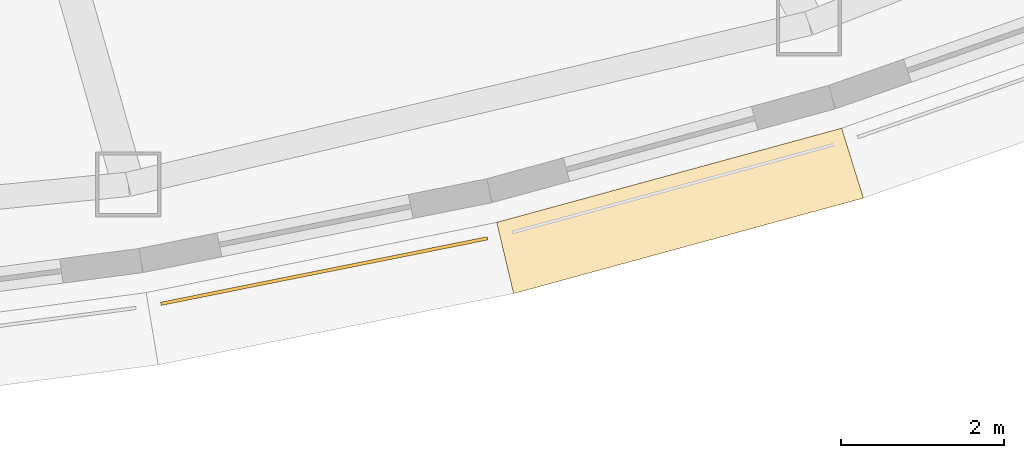
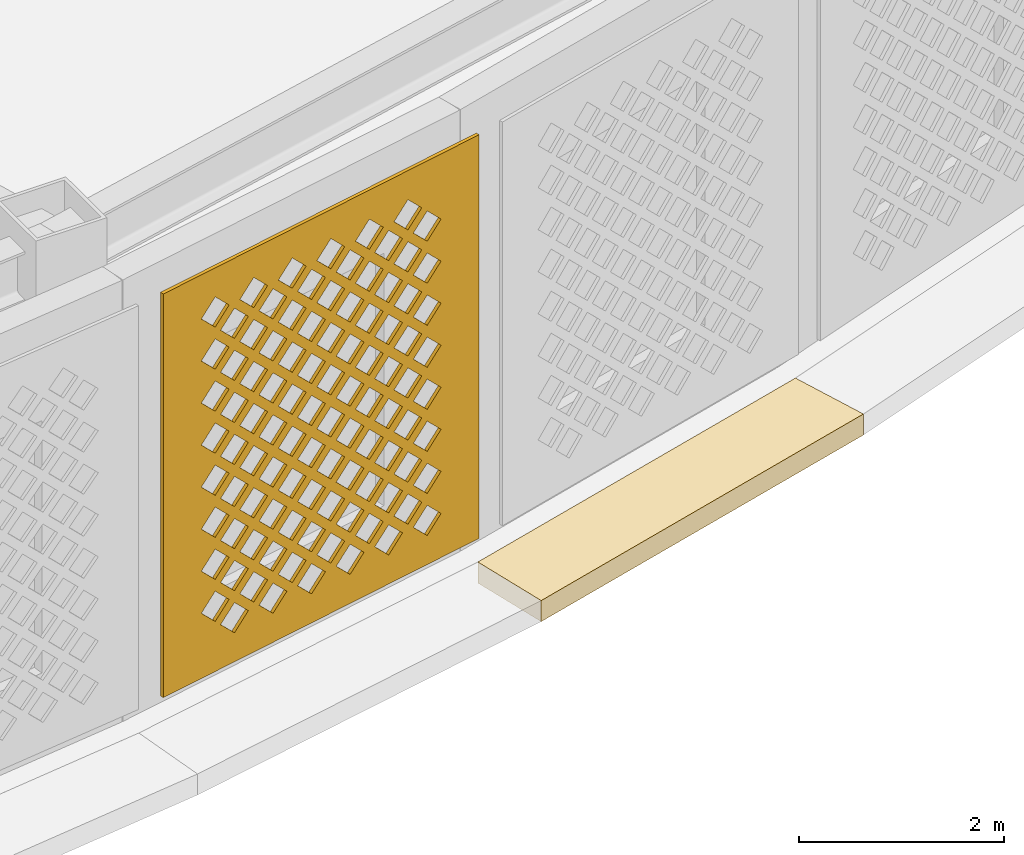
# One storey, part 55 of 69: 2 coverings.
"""IFC4 building model written with IfcOpenShell, lengths in metres."""

from ifc_helpers import new_model, si_unit, direction, frame, origin, place, context, subcontext, project, spatial, polyline, outline, extrude, material, layer, layer_set, type_object, element, save


model = new_model("IFC4")

# Units and contexts
model_context = context("Model", 3, precision=1e-05, world=origin(), true_north=direction((0.0, 1.0)))
body_context = subcontext(model_context, "Body", "Model", "MODEL_VIEW")
ifc_project = project(units=[si_unit("LENGTHUNIT", "METRE"), si_unit("AREAUNIT", "SQUARE_METRE"), si_unit("VOLUMEUNIT", "CUBIC_METRE"), si_unit("PLANEANGLEUNIT", "RADIAN"), si_unit("MASSUNIT", "GRAM", prefix="KILO")], contexts=[model_context])

# Site, building, storey
site_placement = place(None, origin())
site = spatial("IfcSite", under=ifc_project, at=site_placement, CompositionType="ELEMENT")
building_placement = place(site_placement, origin())
building = spatial("IfcBuilding", under=site, at=building_placement, Name="Noorbagh Ring Tower", CompositionType="ELEMENT")
storey_placement = place(building_placement, frame((0.0, 0.0, 19.5)))
storey = spatial("IfcBuildingStorey", under=building, at=storey_placement, Name="L03", CompositionType="ELEMENT", Elevation=19.5)

# Coverings
ifc_material_1 = material(Name="Red sandstone eave", Category="masonry")
covering_type_1 = type_object("IfcCoveringType", Name="STY-CHHAJJA", PredefinedType="USERDEFINED", material=ifc_material_1)
covering_1_placement = place(storey_placement, frame((0.0, 0.0, -0.25)))
element("IfcCovering", 1, at=covering_1_placement, inside=storey, type_object=covering_type_1, Name="Chhajja eave", ObjectType="CHHAJJA", PredefinedType="USERDEFINED", context=body_context, shape_type="SweptSolid", body=[
    extrude(outline(polyline([(15.2568359375, -38.239501953125), (19.49853515625, -37.081298828125), (19.7666015625, -37.941162109375), (15.464111328125, -39.115966796875), (15.2568359375, -38.239501953125)])), origin(), (0.0, 0.0, 1.0), 0.25),
])
ifc_material_2 = material(Name="Red sandstone jali", Category="masonry")
ifc_layer = layer(ifc_material_2, 0.0400390625)
ifc_layer_set = layer_set([ifc_layer], Name="Red sandstone jali")
covering_type_2 = type_object("IfcCoveringType", Name="STY-JALI", PredefinedType="USERDEFINED", material=ifc_layer_set)
covering_2_placement = place(storey_placement, frame((11.130126953125, -39.260498046875, 0.449951171875), z_axis=(0.196528665711, -0.980498079322, 0.0), x_axis=(0.980498079322, 0.196528665711, 0.0)))
element("IfcCovering", 2, at=covering_2_placement, inside=storey, type_object=covering_type_2, Name="Jali screen", ObjectType="SCREEN", PredefinedType="USERDEFINED", context=body_context, shape_type="SweptSolid", body=[
    extrude(outline(polyline([(0.0, 0.0), (4.096923828125, 0.0), (4.096923828125, 4.800048828125), (0.0, 4.800048828125), (0.0, 0.0)]), holes=[polyline([(0.743408203125, 0.52490234375), (0.923583984375, 0.344970703125), (1.103515625, 0.52490234375), (0.923583984375, 0.705078125), (0.743408203125, 0.52490234375)]), polyline([(1.243408203125, 0.52490234375), (1.423583984375, 0.344970703125), (1.603515625, 0.52490234375), (1.423583984375, 0.705078125), (1.243408203125, 0.52490234375)]), polyline([(1.743408203125, 0.52490234375), (1.923583984375, 0.344970703125), (2.103515625, 0.52490234375), (1.923583984375, 0.705078125), (1.743408203125, 0.52490234375)]), polyline([(2.243408203125, 0.52490234375), (2.423583984375, 0.344970703125), (2.603515625, 0.52490234375), (2.423583984375, 0.705078125), (2.243408203125, 0.52490234375)]), polyline([(2.743408203125, 0.52490234375), (2.923583984375, 0.344970703125), (3.103515625, 0.52490234375), (2.923583984375, 0.705078125), (2.743408203125, 0.52490234375)]), polyline([(3.243408203125, 0.52490234375), (3.423583984375, 0.344970703125), (3.603515625, 0.52490234375), (3.423583984375, 0.705078125), (3.243408203125, 0.52490234375)]), polyline([(0.493408203125, 0.77490234375), (0.673583984375, 0.594970703125), (0.853515625, 0.77490234375), (0.673583984375, 0.955078125), (0.493408203125, 0.77490234375)]), polyline([(0.993408203125, 0.77490234375), (1.173583984375, 0.594970703125), (1.353515625, 0.77490234375), (1.173583984375, 0.955078125), (0.993408203125, 0.77490234375)]), polyline([(1.493408203125, 0.77490234375), (1.673583984375, 0.594970703125), (1.853515625, 0.77490234375), (1.673583984375, 0.955078125), (1.493408203125, 0.77490234375)]), polyline([(1.993408203125, 0.77490234375), (2.173583984375, 0.594970703125), (2.353515625, 0.77490234375), (2.173583984375, 0.955078125), (1.993408203125, 0.77490234375)]), polyline([(2.493408203125, 0.77490234375), (2.673583984375, 0.594970703125), (2.853515625, 0.77490234375), (2.673583984375, 0.955078125), (2.493408203125, 0.77490234375)]), polyline([(2.993408203125, 0.77490234375), (3.173583984375, 0.594970703125), (3.353515625, 0.77490234375), (3.173583984375, 0.955078125), (2.993408203125, 0.77490234375)]), polyline([(0.743408203125, 1.02490234375), (0.923583984375, 0.844970703125), (1.103515625, 1.02490234375), (0.923583984375, 1.205078125), (0.743408203125, 1.02490234375)]), polyline([(1.243408203125, 1.02490234375), (1.423583984375, 0.844970703125), (1.603515625, 1.02490234375), (1.423583984375, 1.205078125), (1.243408203125, 1.02490234375)]), polyline([(1.743408203125, 1.02490234375), (1.923583984375, 0.844970703125), (2.103515625, 1.02490234375), (1.923583984375, 1.205078125), (1.743408203125, 1.02490234375)]), polyline([(2.243408203125, 1.02490234375), (2.423583984375, 0.844970703125), (2.603515625, 1.02490234375), (2.423583984375, 1.205078125), (2.243408203125, 1.02490234375)]), polyline([(2.743408203125, 1.02490234375), (2.923583984375, 0.844970703125), (3.103515625, 1.02490234375), (2.923583984375, 1.205078125), (2.743408203125, 1.02490234375)]), polyline([(3.243408203125, 1.02490234375), (3.423583984375, 0.844970703125), (3.603515625, 1.02490234375), (3.423583984375, 1.205078125), (3.243408203125, 1.02490234375)]), polyline([(0.493408203125, 1.27490234375), (0.673583984375, 1.094970703125), (0.853515625, 1.27490234375), (0.673583984375, 1.455078125), (0.493408203125, 1.27490234375)]), polyline([(0.993408203125, 1.27490234375), (1.173583984375, 1.094970703125), (1.353515625, 1.27490234375), (1.173583984375, 1.455078125), (0.993408203125, 1.27490234375)]), polyline([(1.493408203125, 1.27490234375), (1.673583984375, 1.094970703125), (1.853515625, 1.27490234375), (1.673583984375, 1.455078125), (1.493408203125, 1.27490234375)]), polyline([(1.993408203125, 1.27490234375), (2.173583984375, 1.094970703125), (2.353515625, 1.27490234375), (2.173583984375, 1.455078125), (1.993408203125, 1.27490234375)]), polyline([(2.493408203125, 1.27490234375), (2.673583984375, 1.094970703125), (2.853515625, 1.27490234375), (2.673583984375, 1.455078125), (2.493408203125, 1.27490234375)]), polyline([(2.993408203125, 1.27490234375), (3.173583984375, 1.094970703125), (3.353515625, 1.27490234375), (3.173583984375, 1.455078125), (2.993408203125, 1.27490234375)]), polyline([(0.743408203125, 1.52490234375), (0.923583984375, 1.344970703125), (1.103515625, 1.52490234375), (0.923583984375, 1.705078125), (0.743408203125, 1.52490234375)]), polyline([(1.243408203125, 1.52490234375), (1.423583984375, 1.344970703125), (1.603515625, 1.52490234375), (1.423583984375, 1.705078125), (1.243408203125, 1.52490234375)]), polyline([(1.743408203125, 1.52490234375), (1.923583984375, 1.344970703125), (2.103515625, 1.52490234375), (1.923583984375, 1.705078125), (1.743408203125, 1.52490234375)]), polyline([(2.243408203125, 1.52490234375), (2.423583984375, 1.344970703125), (2.603515625, 1.52490234375), (2.423583984375, 1.705078125), (2.243408203125, 1.52490234375)]), polyline([(2.743408203125, 1.52490234375), (2.923583984375, 1.344970703125), (3.103515625, 1.52490234375), (2.923583984375, 1.705078125), (2.743408203125, 1.52490234375)]), polyline([(3.243408203125, 1.52490234375), (3.423583984375, 1.344970703125), (3.603515625, 1.52490234375), (3.423583984375, 1.705078125), (3.243408203125, 1.52490234375)]), polyline([(0.493408203125, 1.77490234375), (0.673583984375, 1.594970703125), (0.853515625, 1.77490234375), (0.673583984375, 1.955078125), (0.493408203125, 1.77490234375)]), polyline([(0.993408203125, 1.77490234375), (1.173583984375, 1.594970703125), (1.353515625, 1.77490234375), (1.173583984375, 1.955078125), (0.993408203125, 1.77490234375)]), polyline([(1.493408203125, 1.77490234375), (1.673583984375, 1.594970703125), (1.853515625, 1.77490234375), (1.673583984375, 1.955078125), (1.493408203125, 1.77490234375)]), polyline([(1.993408203125, 1.77490234375), (2.173583984375, 1.594970703125), (2.353515625, 1.77490234375), (2.173583984375, 1.955078125), (1.993408203125, 1.77490234375)]), polyline([(2.493408203125, 1.77490234375), (2.673583984375, 1.594970703125), (2.853515625, 1.77490234375), (2.673583984375, 1.955078125), (2.493408203125, 1.77490234375)]), polyline([(2.993408203125, 1.77490234375), (3.173583984375, 1.594970703125), (3.353515625, 1.77490234375), (3.173583984375, 1.955078125), (2.993408203125, 1.77490234375)]), polyline([(0.743408203125, 2.02490234375), (0.923583984375, 1.844970703125), (1.103515625, 2.02490234375), (0.923583984375, 2.205078125), (0.743408203125, 2.02490234375)]), polyline([(1.243408203125, 2.02490234375), (1.423583984375, 1.844970703125), (1.603515625, 2.02490234375), (1.423583984375, 2.205078125), (1.243408203125, 2.02490234375)]), polyline([(1.743408203125, 2.02490234375), (1.923583984375, 1.844970703125), (2.103515625, 2.02490234375), (1.923583984375, 2.205078125), (1.743408203125, 2.02490234375)]), polyline([(2.243408203125, 2.02490234375), (2.423583984375, 1.844970703125), (2.603515625, 2.02490234375), (2.423583984375, 2.205078125), (2.243408203125, 2.02490234375)]), polyline([(2.743408203125, 2.02490234375), (2.923583984375, 1.844970703125), (3.103515625, 2.02490234375), (2.923583984375, 2.205078125), (2.743408203125, 2.02490234375)]), polyline([(3.243408203125, 2.02490234375), (3.423583984375, 1.844970703125), (3.603515625, 2.02490234375), (3.423583984375, 2.205078125), (3.243408203125, 2.02490234375)]), polyline([(0.493408203125, 2.27490234375), (0.673583984375, 2.094970703125), (0.853515625, 2.27490234375), (0.673583984375, 2.455078125), (0.493408203125, 2.27490234375)]), polyline([(0.993408203125, 2.27490234375), (1.173583984375, 2.094970703125), (1.353515625, 2.27490234375), (1.173583984375, 2.455078125), (0.993408203125, 2.27490234375)]), polyline([(1.493408203125, 2.27490234375), (1.673583984375, 2.094970703125), (1.853515625, 2.27490234375), (1.673583984375, 2.455078125), (1.493408203125, 2.27490234375)]), polyline([(1.993408203125, 2.27490234375), (2.173583984375, 2.094970703125), (2.353515625, 2.27490234375), (2.173583984375, 2.455078125), (1.993408203125, 2.27490234375)]), polyline([(2.493408203125, 2.27490234375), (2.673583984375, 2.094970703125), (2.853515625, 2.27490234375), (2.673583984375, 2.455078125), (2.493408203125, 2.27490234375)]), polyline([(2.993408203125, 2.27490234375), (3.173583984375, 2.094970703125), (3.353515625, 2.27490234375), (3.173583984375, 2.455078125), (2.993408203125, 2.27490234375)]), polyline([(0.743408203125, 2.52490234375), (0.923583984375, 2.344970703125), (1.103515625, 2.52490234375), (0.923583984375, 2.705078125), (0.743408203125, 2.52490234375)]), polyline([(1.243408203125, 2.52490234375), (1.423583984375, 2.344970703125), (1.603515625, 2.52490234375), (1.423583984375, 2.705078125), (1.243408203125, 2.52490234375)]), polyline([(1.743408203125, 2.52490234375), (1.923583984375, 2.344970703125), (2.103515625, 2.52490234375), (1.923583984375, 2.705078125), (1.743408203125, 2.52490234375)]), polyline([(2.243408203125, 2.52490234375), (2.423583984375, 2.344970703125), (2.603515625, 2.52490234375), (2.423583984375, 2.705078125), (2.243408203125, 2.52490234375)]), polyline([(2.743408203125, 2.52490234375), (2.923583984375, 2.344970703125), (3.103515625, 2.52490234375), (2.923583984375, 2.705078125), (2.743408203125, 2.52490234375)]), polyline([(3.243408203125, 2.52490234375), (3.423583984375, 2.344970703125), (3.603515625, 2.52490234375), (3.423583984375, 2.705078125), (3.243408203125, 2.52490234375)]), polyline([(0.493408203125, 2.77490234375), (0.673583984375, 2.594970703125), (0.853515625, 2.77490234375), (0.673583984375, 2.955078125), (0.493408203125, 2.77490234375)]), polyline([(0.993408203125, 2.77490234375), (1.173583984375, 2.594970703125), (1.353515625, 2.77490234375), (1.173583984375, 2.955078125), (0.993408203125, 2.77490234375)]), polyline([(1.493408203125, 2.77490234375), (1.673583984375, 2.594970703125), (1.853515625, 2.77490234375), (1.673583984375, 2.955078125), (1.493408203125, 2.77490234375)]), polyline([(1.993408203125, 2.77490234375), (2.173583984375, 2.594970703125), (2.353515625, 2.77490234375), (2.173583984375, 2.955078125), (1.993408203125, 2.77490234375)]), polyline([(2.493408203125, 2.77490234375), (2.673583984375, 2.594970703125), (2.853515625, 2.77490234375), (2.673583984375, 2.955078125), (2.493408203125, 2.77490234375)]), polyline([(2.993408203125, 2.77490234375), (3.173583984375, 2.594970703125), (3.353515625, 2.77490234375), (3.173583984375, 2.955078125), (2.993408203125, 2.77490234375)]), polyline([(0.743408203125, 3.02490234375), (0.923583984375, 2.844970703125), (1.103515625, 3.02490234375), (0.923583984375, 3.205078125), (0.743408203125, 3.02490234375)]), polyline([(1.243408203125, 3.02490234375), (1.423583984375, 2.844970703125), (1.603515625, 3.02490234375), (1.423583984375, 3.205078125), (1.243408203125, 3.02490234375)]), polyline([(1.743408203125, 3.02490234375), (1.923583984375, 2.844970703125), (2.103515625, 3.02490234375), (1.923583984375, 3.205078125), (1.743408203125, 3.02490234375)]), polyline([(2.243408203125, 3.02490234375), (2.423583984375, 2.844970703125), (2.603515625, 3.02490234375), (2.423583984375, 3.205078125), (2.243408203125, 3.02490234375)]), polyline([(2.743408203125, 3.02490234375), (2.923583984375, 2.844970703125), (3.103515625, 3.02490234375), (2.923583984375, 3.205078125), (2.743408203125, 3.02490234375)]), polyline([(3.243408203125, 3.02490234375), (3.423583984375, 2.844970703125), (3.603515625, 3.02490234375), (3.423583984375, 3.205078125), (3.243408203125, 3.02490234375)]), polyline([(0.493408203125, 3.27490234375), (0.673583984375, 3.094970703125), (0.853515625, 3.27490234375), (0.673583984375, 3.455078125), (0.493408203125, 3.27490234375)]), polyline([(0.993408203125, 3.27490234375), (1.173583984375, 3.094970703125), (1.353515625, 3.27490234375), (1.173583984375, 3.455078125), (0.993408203125, 3.27490234375)]), polyline([(1.493408203125, 3.27490234375), (1.673583984375, 3.094970703125), (1.853515625, 3.27490234375), (1.673583984375, 3.455078125), (1.493408203125, 3.27490234375)]), polyline([(1.993408203125, 3.27490234375), (2.173583984375, 3.094970703125), (2.353515625, 3.27490234375), (2.173583984375, 3.455078125), (1.993408203125, 3.27490234375)]), polyline([(2.493408203125, 3.27490234375), (2.673583984375, 3.094970703125), (2.853515625, 3.27490234375), (2.673583984375, 3.455078125), (2.493408203125, 3.27490234375)]), polyline([(2.993408203125, 3.27490234375), (3.173583984375, 3.094970703125), (3.353515625, 3.27490234375), (3.173583984375, 3.455078125), (2.993408203125, 3.27490234375)]), polyline([(0.743408203125, 3.52490234375), (0.923583984375, 3.344970703125), (1.103515625, 3.52490234375), (0.923583984375, 3.705078125), (0.743408203125, 3.52490234375)]), polyline([(1.243408203125, 3.52490234375), (1.423583984375, 3.344970703125), (1.603515625, 3.52490234375), (1.423583984375, 3.705078125), (1.243408203125, 3.52490234375)]), polyline([(1.743408203125, 3.52490234375), (1.923583984375, 3.344970703125), (2.103515625, 3.52490234375), (1.923583984375, 3.705078125), (1.743408203125, 3.52490234375)]), polyline([(2.243408203125, 3.52490234375), (2.423583984375, 3.344970703125), (2.603515625, 3.52490234375), (2.423583984375, 3.705078125), (2.243408203125, 3.52490234375)]), polyline([(2.743408203125, 3.52490234375), (2.923583984375, 3.344970703125), (3.103515625, 3.52490234375), (2.923583984375, 3.705078125), (2.743408203125, 3.52490234375)]), polyline([(3.243408203125, 3.52490234375), (3.423583984375, 3.344970703125), (3.603515625, 3.52490234375), (3.423583984375, 3.705078125), (3.243408203125, 3.52490234375)]), polyline([(0.493408203125, 3.77490234375), (0.673583984375, 3.594970703125), (0.853515625, 3.77490234375), (0.673583984375, 3.955078125), (0.493408203125, 3.77490234375)]), polyline([(0.993408203125, 3.77490234375), (1.173583984375, 3.594970703125), (1.353515625, 3.77490234375), (1.173583984375, 3.955078125), (0.993408203125, 3.77490234375)]), polyline([(1.493408203125, 3.77490234375), (1.673583984375, 3.594970703125), (1.853515625, 3.77490234375), (1.673583984375, 3.955078125), (1.493408203125, 3.77490234375)]), polyline([(1.993408203125, 3.77490234375), (2.173583984375, 3.594970703125), (2.353515625, 3.77490234375), (2.173583984375, 3.955078125), (1.993408203125, 3.77490234375)]), polyline([(2.493408203125, 3.77490234375), (2.673583984375, 3.594970703125), (2.853515625, 3.77490234375), (2.673583984375, 3.955078125), (2.493408203125, 3.77490234375)]), polyline([(2.993408203125, 3.77490234375), (3.173583984375, 3.594970703125), (3.353515625, 3.77490234375), (3.173583984375, 3.955078125), (2.993408203125, 3.77490234375)]), polyline([(0.743408203125, 4.02490234375), (0.923583984375, 3.844970703125), (1.103515625, 4.02490234375), (0.923583984375, 4.205078125), (0.743408203125, 4.02490234375)]), polyline([(1.243408203125, 4.02490234375), (1.423583984375, 3.844970703125), (1.603515625, 4.02490234375), (1.423583984375, 4.205078125), (1.243408203125, 4.02490234375)]), polyline([(1.743408203125, 4.02490234375), (1.923583984375, 3.844970703125), (2.103515625, 4.02490234375), (1.923583984375, 4.205078125), (1.743408203125, 4.02490234375)]), polyline([(2.243408203125, 4.02490234375), (2.423583984375, 3.844970703125), (2.603515625, 4.02490234375), (2.423583984375, 4.205078125), (2.243408203125, 4.02490234375)]), polyline([(2.743408203125, 4.02490234375), (2.923583984375, 3.844970703125), (3.103515625, 4.02490234375), (2.923583984375, 4.205078125), (2.743408203125, 4.02490234375)]), polyline([(3.243408203125, 4.02490234375), (3.423583984375, 3.844970703125), (3.603515625, 4.02490234375), (3.423583984375, 4.205078125), (3.243408203125, 4.02490234375)]), polyline([(0.493408203125, 4.27490234375), (0.673583984375, 4.094970703125), (0.853515625, 4.27490234375), (0.673583984375, 4.455078125), (0.493408203125, 4.27490234375)]), polyline([(0.993408203125, 4.27490234375), (1.173583984375, 4.094970703125), (1.353515625, 4.27490234375), (1.173583984375, 4.455078125), (0.993408203125, 4.27490234375)]), polyline([(1.493408203125, 4.27490234375), (1.673583984375, 4.094970703125), (1.853515625, 4.27490234375), (1.673583984375, 4.455078125), (1.493408203125, 4.27490234375)]), polyline([(1.993408203125, 4.27490234375), (2.173583984375, 4.094970703125), (2.353515625, 4.27490234375), (2.173583984375, 4.455078125), (1.993408203125, 4.27490234375)]), polyline([(2.493408203125, 4.27490234375), (2.673583984375, 4.094970703125), (2.853515625, 4.27490234375), (2.673583984375, 4.455078125), (2.493408203125, 4.27490234375)]), polyline([(2.993408203125, 4.27490234375), (3.173583984375, 4.094970703125), (3.353515625, 4.27490234375), (3.173583984375, 4.455078125), (2.993408203125, 4.27490234375)])]), origin(), (0.0, 0.0, -1.0), 0.0400390625),
])

save(model, "model.ifc")
